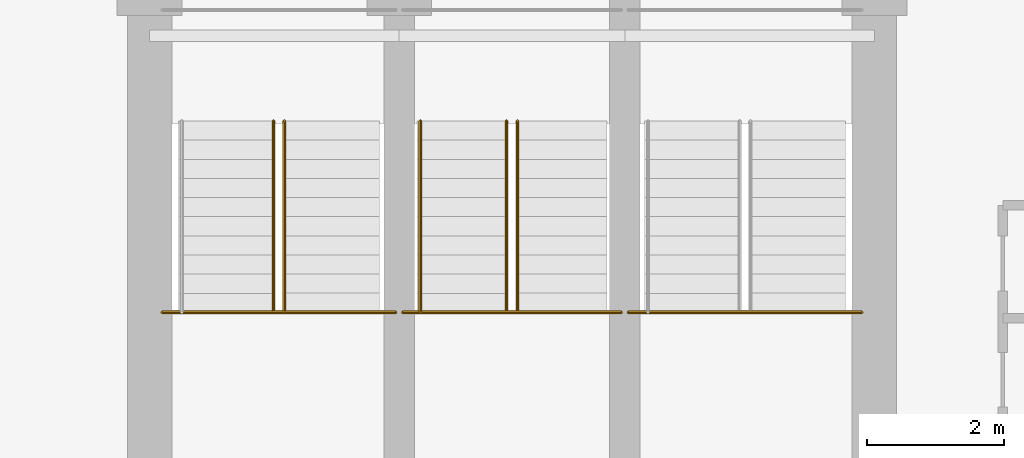
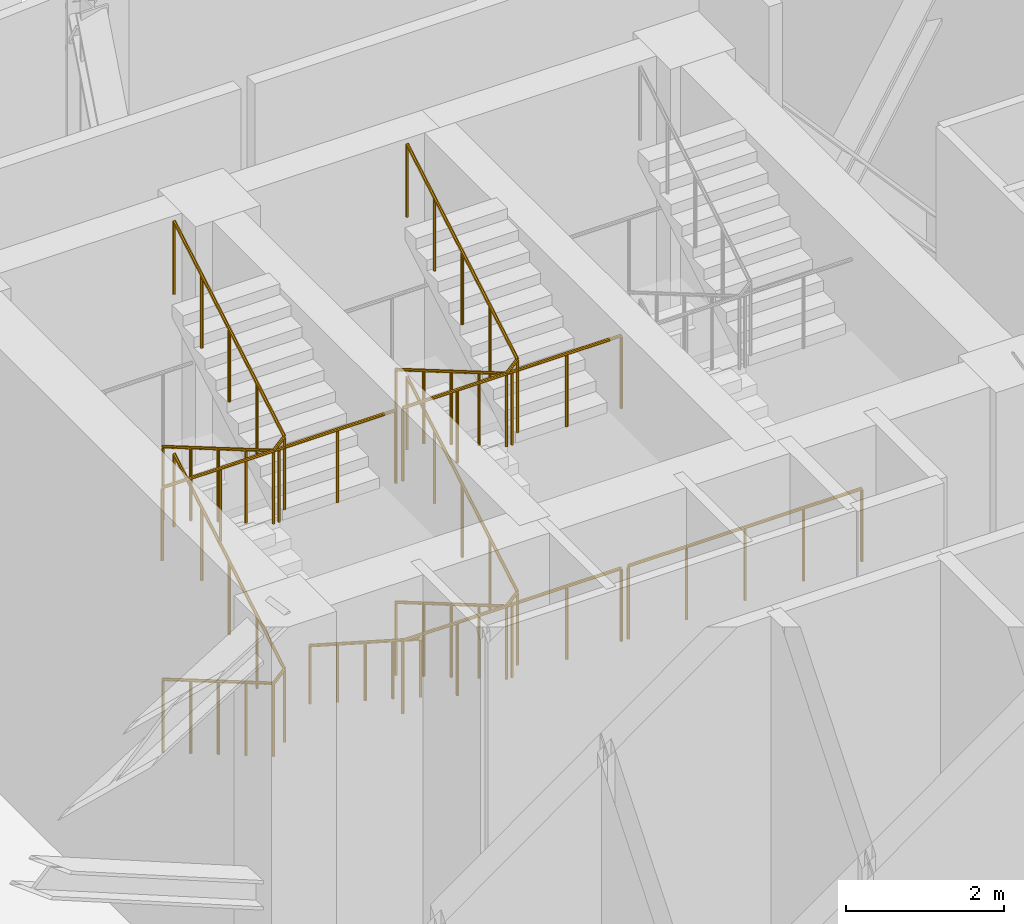
# One storey, part 15 of 18: 9 railings.
"""IFC4 building model written with IfcOpenShell, lengths in metres."""

from ifc_helpers import new_model, si_unit, direction, frame, origin, place, context, subcontext, project, spatial, polyline, outline, extrude, material, type_object, element, save


model = new_model("IFC4")

# Units and contexts
model_context = context("Model", 3, precision=1e-05, world=origin(), true_north=direction((0.0, 1.0)))
body_context = subcontext(model_context, "Body", "Model", "MODEL_VIEW")
ifc_project = project(units=[si_unit("LENGTHUNIT", "METRE"), si_unit("AREAUNIT", "SQUARE_METRE"), si_unit("VOLUMEUNIT", "CUBIC_METRE"), si_unit("PLANEANGLEUNIT", "RADIAN"), si_unit("MASSUNIT", "GRAM", prefix="KILO")], contexts=[model_context])

# Site, building, storey
site_placement = place(None, origin())
site = spatial("IfcSite", under=ifc_project, at=site_placement, CompositionType="ELEMENT")
building_placement = place(site_placement, origin())
building = spatial("IfcBuilding", under=site, at=building_placement, Name="Nuhasar Tower", CompositionType="ELEMENT")
storey_placement = place(building_placement, frame((0.0, 0.0, 195.949951171875)))
storey = spatial("IfcBuildingStorey", under=building, at=storey_placement, Name="L48", CompositionType="ELEMENT", Elevation=195.949951171875)

# Railings
ifc_material_1 = material(Name="Steel S355", Category="steel")
railing_type_1 = type_object("IfcRailingType", Name="RLG-STAIR-GUARD-1150", PredefinedType="GUARDRAIL", material=ifc_material_1)
railing_1_placement = place(storey_placement, frame((35.510009765625, 35.284912109375, 0.1640625)))
element("IfcRailing", 1, at=railing_1_placement, inside=storey, type_object=railing_type_1, Name="L48 Stair ST-01 Guardrail SLT1", PredefinedType="GUARDRAIL", context=body_context, shape_type="SweptSolid", body=[
    extrude(outline(polyline([(0.024169921875, 0.0), (0.01708984375, 0.01708984375), (0.0, 0.024169921875), (-0.01708984375, 0.01708984375), (-0.024169921875, 0.0), (-0.01708984375, -0.01708984375), (0.0, -0.024169921875), (0.01708984375, -0.01708984375), (0.024169921875, 0.0)])), frame((0.0, 0.0, 1.1259765625), z_axis=(0.0, -0.863407295559, 0.504507524201), x_axis=(1.0, 0.0, 0.0)), (0.0, 0.0, 1.0), 3.24267578125),
    extrude(outline(polyline([(0.024169921875, 0.0), (0.01708984375, 0.01708984375), (0.0, 0.024169921875), (-0.01708984375, 0.01708984375), (-0.024169921875, 0.0), (-0.01708984375, -0.01708984375), (0.0, -0.024169921875), (0.01708984375, -0.01708984375), (0.024169921875, 0.0)])), frame((0.0, -2.7998046875, 2.76171875), z_axis=(0.697990867133, 0.0, 0.716106660631), x_axis=(0.0, 1.0, 0.0)), (0.0, 0.0, 1.0), 0.22900390625),
    extrude(outline(polyline([(0.024169921875, 0.0), (0.01708984375, 0.01708984375), (0.0, 0.024169921875), (-0.01708984375, 0.01708984375), (-0.024169921875, 0.0), (-0.01708984375, -0.01708984375), (0.0, -0.024169921875), (0.01708984375, -0.01708984375), (0.024169921875, 0.0)])), frame((0.159912109375, -2.7998046875, 2.92578125), z_axis=(0.0, 0.863407295559, 0.504507524201), x_axis=(-1.0, 0.0, 0.0)), (0.0, 0.0, 1.0), 3.24267578125),
    extrude(outline(polyline([(0.02099609375, 0.0), (0.014892578125, 0.014892578125), (0.0, 0.02099609375), (-0.014892578125, 0.014892578125), (-0.02099609375, 0.0), (-0.014892578125, -0.014892578125), (0.0, -0.02099609375), (0.014892578125, -0.014892578125), (0.02099609375, 0.0)])), origin(), (0.0, 0.0, 1.0), 1.101806640625),
    extrude(outline(polyline([(0.02099609375, 0.0), (0.014892578125, 0.014892578125), (0.0, 0.02099609375), (-0.014892578125, 0.014892578125), (-0.02099609375, 0.0), (-0.014892578125, -0.014892578125), (0.0, -0.02099609375), (0.014892578125, -0.014892578125), (0.02099609375, 0.0)])), frame((0.0, -0.699951171875, 0.408935546875)), (0.0, 0.0, 1.0), 1.101806640625),
    extrude(outline(polyline([(0.02099609375, 0.0), (0.014892578125, 0.014892578125), (0.0, 0.02099609375), (-0.014892578125, 0.014892578125), (-0.02099609375, 0.0), (-0.014892578125, -0.014892578125), (0.0, -0.02099609375), (0.014892578125, -0.014892578125), (0.02099609375, 0.0)])), frame((0.0, -1.39990234375, 0.81787109375)), (0.0, 0.0, 1.0), 1.101806640625),
    extrude(outline(polyline([(0.02099609375, 0.0), (0.014892578125, 0.014892578125), (0.0, 0.02099609375), (-0.014892578125, 0.014892578125), (-0.02099609375, 0.0), (-0.014892578125, -0.014892578125), (0.0, -0.02099609375), (0.014892578125, -0.014892578125), (0.02099609375, 0.0)])), frame((0.0, -2.099853515625, 1.22705078125)), (0.0, 0.0, 1.0), 1.101806640625),
    extrude(outline(polyline([(0.02099609375, 0.0), (0.014892578125, 0.014892578125), (0.0, 0.02099609375), (-0.014892578125, 0.014892578125), (-0.02099609375, 0.0), (-0.014892578125, -0.014892578125), (0.0, -0.02099609375), (0.014892578125, -0.014892578125), (0.02099609375, 0.0)])), frame((0.0, -2.7998046875, 1.635986328125)), (0.0, 0.0, 1.0), 1.101806640625),
    extrude(outline(polyline([(0.02099609375, 0.0), (0.014892578125, 0.014892578125), (0.0, 0.02099609375), (-0.014892578125, 0.014892578125), (-0.02099609375, 0.0), (-0.014892578125, -0.014892578125), (0.0, -0.02099609375), (0.014892578125, -0.014892578125), (0.02099609375, 0.0)])), frame((0.159912109375, -2.7998046875, 1.800048828125)), (0.0, 0.0, 1.0), 1.101806640625),
    extrude(outline(polyline([(0.02099609375, 0.0), (0.014892578125, 0.014892578125), (0.0, 0.02099609375), (-0.014892578125, 0.014892578125), (-0.02099609375, 0.0), (-0.014892578125, -0.014892578125), (0.0, -0.02099609375), (0.014892578125, -0.014892578125), (0.02099609375, 0.0)])), frame((0.159912109375, -2.099853515625, 2.208984375)), (0.0, 0.0, 1.0), 1.101806640625),
    extrude(outline(polyline([(0.02099609375, 0.0), (0.014892578125, 0.014892578125), (0.0, 0.02099609375), (-0.014892578125, 0.014892578125), (-0.02099609375, 0.0), (-0.014892578125, -0.014892578125), (0.0, -0.02099609375), (0.014892578125, -0.014892578125), (0.02099609375, 0.0)])), frame((0.159912109375, -1.39990234375, 2.6181640625)), (0.0, 0.0, 1.0), 1.101806640625),
    extrude(outline(polyline([(0.02099609375, 0.0), (0.014892578125, 0.014892578125), (0.0, 0.02099609375), (-0.014892578125, 0.014892578125), (-0.02099609375, 0.0), (-0.014892578125, -0.014892578125), (0.0, -0.02099609375), (0.014892578125, -0.014892578125), (0.02099609375, 0.0)])), frame((0.159912109375, -0.699951171875, 3.027099609375)), (0.0, 0.0, 1.0), 1.101806640625),
    extrude(outline(polyline([(0.02099609375, 0.0), (0.014892578125, 0.014892578125), (0.0, 0.02099609375), (-0.014892578125, 0.014892578125), (-0.02099609375, 0.0), (-0.014892578125, -0.014892578125), (0.0, -0.02099609375), (0.014892578125, -0.014892578125), (0.02099609375, 0.0)])), frame((0.159912109375, 0.0, 3.43603515625)), (0.0, 0.0, 1.0), 1.101806640625),
])
railing_2_placement = place(storey_placement, frame((33.8798828125, 32.485107421875, 5.400146484375)))
element("IfcRailing", 2, at=railing_2_placement, inside=storey, type_object=railing_type_1, Name="L48 Stair ST-01 Guardrail LNDS2", PredefinedType="GUARDRAIL", context=body_context, shape_type="SweptSolid", body=[
    extrude(outline(polyline([(0.024169921875, 0.0), (0.01708984375, 0.01708984375), (0.0, 0.024169921875), (-0.01708984375, 0.01708984375), (-0.024169921875, 0.0), (-0.01708984375, -0.01708984375), (0.0, -0.024169921875), (0.01708984375, -0.01708984375), (0.024169921875, 0.0)])), frame((0.0, 0.0, 1.1259765625), z_axis=(1.0, 0.0, 0.0), x_axis=(0.0, 1.0, 0.0)), (0.0, 0.0, 1.0), 3.420166015625),
    extrude(outline(polyline([(0.02099609375, 0.0), (0.014892578125, 0.014892578125), (0.0, 0.02099609375), (-0.014892578125, 0.014892578125), (-0.02099609375, 0.0), (-0.014892578125, -0.014892578125), (0.0, -0.02099609375), (0.014892578125, -0.014892578125), (0.02099609375, 0.0)])), origin(), (0.0, 0.0, 1.0), 1.101806640625),
    extrude(outline(polyline([(0.02099609375, 0.0), (0.014892578125, 0.014892578125), (0.0, 0.02099609375), (-0.014892578125, 0.014892578125), (-0.02099609375, 0.0), (-0.014892578125, -0.014892578125), (0.0, -0.02099609375), (0.014892578125, -0.014892578125), (0.02099609375, 0.0)])), frame((0.85498046875, 0.0, 0.0)), (0.0, 0.0, 1.0), 1.101806640625),
    extrude(outline(polyline([(0.02099609375, 0.0), (0.014892578125, 0.014892578125), (0.0, 0.02099609375), (-0.014892578125, 0.014892578125), (-0.02099609375, 0.0), (-0.014892578125, -0.014892578125), (0.0, -0.02099609375), (0.014892578125, -0.014892578125), (0.02099609375, 0.0)])), frame((1.7099609375, 0.0, 0.0)), (0.0, 0.0, 1.0), 1.101806640625),
    extrude(outline(polyline([(0.02099609375, 0.0), (0.014892578125, 0.014892578125), (0.0, 0.02099609375), (-0.014892578125, 0.014892578125), (-0.02099609375, 0.0), (-0.014892578125, -0.014892578125), (0.0, -0.02099609375), (0.014892578125, -0.014892578125), (0.02099609375, 0.0)])), frame((2.565185546875, 0.0, 0.0)), (0.0, 0.0, 1.0), 1.101806640625),
    extrude(outline(polyline([(0.02099609375, 0.0), (0.014892578125, 0.014892578125), (0.0, 0.02099609375), (-0.014892578125, 0.014892578125), (-0.02099609375, 0.0), (-0.014892578125, -0.014892578125), (0.0, -0.02099609375), (0.014892578125, -0.014892578125), (0.02099609375, 0.0)])), frame((3.420166015625, 0.0, 0.0)), (0.0, 0.0, 1.0), 1.101806640625),
])
railing_3_placement = place(storey_placement, frame((35.510009765625, 35.284912109375, 3.76416015625)))
element("IfcRailing", 3, at=railing_3_placement, inside=storey, type_object=railing_type_1, Name="L48 Stair ST-01 Guardrail SLT2", PredefinedType="GUARDRAIL", context=body_context, shape_type="SweptSolid", body=[
    extrude(outline(polyline([(0.024169921875, 0.0), (0.01708984375, 0.01708984375), (0.0, 0.024169921875), (-0.01708984375, 0.01708984375), (-0.024169921875, 0.0), (-0.01708984375, -0.01708984375), (0.0, -0.024169921875), (0.01708984375, -0.01708984375), (0.024169921875, 0.0)])), frame((0.0, 0.0, 1.1259765625), z_axis=(0.0, -0.863407295559, 0.504507524201), x_axis=(1.0, 0.0, 0.0)), (0.0, 0.0, 1.0), 3.24267578125),
    extrude(outline(polyline([(0.024169921875, 0.0), (0.01708984375, 0.01708984375), (0.0, 0.024169921875), (-0.01708984375, 0.01708984375), (-0.024169921875, 0.0), (-0.01708984375, -0.01708984375), (0.0, -0.024169921875), (0.01708984375, -0.01708984375), (0.024169921875, 0.0)])), frame((0.0, -2.7998046875, 2.76171875), z_axis=(0.69852372298, 0.0, 0.715586897892), x_axis=(0.0, 1.0, 0.0)), (0.0, 0.0, 1.0), 0.22900390625),
    extrude(outline(polyline([(0.024169921875, 0.0), (0.01708984375, 0.01708984375), (0.0, 0.024169921875), (-0.01708984375, 0.01708984375), (-0.024169921875, 0.0), (-0.01708984375, -0.01708984375), (0.0, -0.024169921875), (0.01708984375, -0.01708984375), (0.024169921875, 0.0)])), frame((0.159912109375, -2.7998046875, 2.92578125), z_axis=(0.0, 0.863407295559, 0.504507524201), x_axis=(-1.0, 0.0, 0.0)), (0.0, 0.0, 1.0), 3.24267578125),
    extrude(outline(polyline([(0.02099609375, 0.0), (0.014892578125, 0.014892578125), (0.0, 0.02099609375), (-0.014892578125, 0.014892578125), (-0.02099609375, 0.0), (-0.014892578125, -0.014892578125), (0.0, -0.02099609375), (0.014892578125, -0.014892578125), (0.02099609375, 0.0)])), origin(), (0.0, 0.0, 1.0), 1.101806640625),
    extrude(outline(polyline([(0.02099609375, 0.0), (0.014892578125, 0.014892578125), (0.0, 0.02099609375), (-0.014892578125, 0.014892578125), (-0.02099609375, 0.0), (-0.014892578125, -0.014892578125), (0.0, -0.02099609375), (0.014892578125, -0.014892578125), (0.02099609375, 0.0)])), frame((0.0, -0.699951171875, 0.408935546875)), (0.0, 0.0, 1.0), 1.101806640625),
    extrude(outline(polyline([(0.02099609375, 0.0), (0.014892578125, 0.014892578125), (0.0, 0.02099609375), (-0.014892578125, 0.014892578125), (-0.02099609375, 0.0), (-0.014892578125, -0.014892578125), (0.0, -0.02099609375), (0.014892578125, -0.014892578125), (0.02099609375, 0.0)])), frame((0.0, -1.39990234375, 0.81787109375)), (0.0, 0.0, 1.0), 1.101806640625),
    extrude(outline(polyline([(0.02099609375, 0.0), (0.014892578125, 0.014892578125), (0.0, 0.02099609375), (-0.014892578125, 0.014892578125), (-0.02099609375, 0.0), (-0.014892578125, -0.014892578125), (0.0, -0.02099609375), (0.014892578125, -0.014892578125), (0.02099609375, 0.0)])), frame((0.0, -2.099853515625, 1.22705078125)), (0.0, 0.0, 1.0), 1.101806640625),
    extrude(outline(polyline([(0.02099609375, 0.0), (0.014892578125, 0.014892578125), (0.0, 0.02099609375), (-0.014892578125, 0.014892578125), (-0.02099609375, 0.0), (-0.014892578125, -0.014892578125), (0.0, -0.02099609375), (0.014892578125, -0.014892578125), (0.02099609375, 0.0)])), frame((0.0, -2.7998046875, 1.635986328125)), (0.0, 0.0, 1.0), 1.101806640625),
    extrude(outline(polyline([(0.02099609375, 0.0), (0.014892578125, 0.014892578125), (0.0, 0.02099609375), (-0.014892578125, 0.014892578125), (-0.02099609375, 0.0), (-0.014892578125, -0.014892578125), (0.0, -0.02099609375), (0.014892578125, -0.014892578125), (0.02099609375, 0.0)])), frame((0.159912109375, -2.7998046875, 1.7998046875)), (0.0, 0.0, 1.0), 1.101806640625),
    extrude(outline(polyline([(0.02099609375, 0.0), (0.014892578125, 0.014892578125), (0.0, 0.02099609375), (-0.014892578125, 0.014892578125), (-0.02099609375, 0.0), (-0.014892578125, -0.014892578125), (0.0, -0.02099609375), (0.014892578125, -0.014892578125), (0.02099609375, 0.0)])), frame((0.159912109375, -2.099853515625, 2.208740234375)), (0.0, 0.0, 1.0), 1.101806640625),
    extrude(outline(polyline([(0.02099609375, 0.0), (0.014892578125, 0.014892578125), (0.0, 0.02099609375), (-0.014892578125, 0.014892578125), (-0.02099609375, 0.0), (-0.014892578125, -0.014892578125), (0.0, -0.02099609375), (0.014892578125, -0.014892578125), (0.02099609375, 0.0)])), frame((0.159912109375, -1.39990234375, 2.61767578125)), (0.0, 0.0, 1.0), 1.101806640625),
    extrude(outline(polyline([(0.02099609375, 0.0), (0.014892578125, 0.014892578125), (0.0, 0.02099609375), (-0.014892578125, 0.014892578125), (-0.02099609375, 0.0), (-0.014892578125, -0.014892578125), (0.0, -0.02099609375), (0.014892578125, -0.014892578125), (0.02099609375, 0.0)])), frame((0.159912109375, -0.699951171875, 3.02685546875)), (0.0, 0.0, 1.0), 1.101806640625),
    extrude(outline(polyline([(0.02099609375, 0.0), (0.014892578125, 0.014892578125), (0.0, 0.02099609375), (-0.014892578125, 0.014892578125), (-0.02099609375, 0.0), (-0.014892578125, -0.014892578125), (0.0, -0.02099609375), (0.014892578125, -0.014892578125), (0.02099609375, 0.0)])), frame((0.159912109375, 0.0, 3.435791015625)), (0.0, 0.0, 1.0), 1.101806640625),
])
railing_4_placement = place(storey_placement, frame((37.39990234375, 32.485107421875, 1.800048828125)))
element("IfcRailing", 4, at=railing_4_placement, inside=storey, type_object=railing_type_1, Name="L48 Stair ST-03 Guardrail LNDS1", PredefinedType="GUARDRAIL", context=body_context, shape_type="SweptSolid", body=[
    extrude(outline(polyline([(0.024169921875, 0.0), (0.01708984375, 0.01708984375), (0.0, 0.024169921875), (-0.01708984375, 0.01708984375), (-0.024169921875, 0.0), (-0.01708984375, -0.01708984375), (0.0, -0.024169921875), (0.01708984375, -0.01708984375), (0.024169921875, 0.0)])), frame((0.0, 0.0, 1.1259765625), z_axis=(1.0, 0.0, 0.0), x_axis=(0.0, 1.0, 0.0)), (0.0, 0.0, 1.0), 3.2001953125),
    extrude(outline(polyline([(0.02099609375, 0.0), (0.014892578125, 0.014892578125), (0.0, 0.02099609375), (-0.014892578125, 0.014892578125), (-0.02099609375, 0.0), (-0.014892578125, -0.014892578125), (0.0, -0.02099609375), (0.014892578125, -0.014892578125), (0.02099609375, 0.0)])), origin(), (0.0, 0.0, 1.0), 1.101806640625),
    extrude(outline(polyline([(0.02099609375, 0.0), (0.014892578125, 0.014892578125), (0.0, 0.02099609375), (-0.014892578125, 0.014892578125), (-0.02099609375, 0.0), (-0.014892578125, -0.014892578125), (0.0, -0.02099609375), (0.014892578125, -0.014892578125), (0.02099609375, 0.0)])), frame((0.800048828125, 0.0, 0.0)), (0.0, 0.0, 1.0), 1.101806640625),
    extrude(outline(polyline([(0.02099609375, 0.0), (0.014892578125, 0.014892578125), (0.0, 0.02099609375), (-0.014892578125, 0.014892578125), (-0.02099609375, 0.0), (-0.014892578125, -0.014892578125), (0.0, -0.02099609375), (0.014892578125, -0.014892578125), (0.02099609375, 0.0)])), frame((1.60009765625, 0.0, 0.0)), (0.0, 0.0, 1.0), 1.101806640625),
    extrude(outline(polyline([(0.02099609375, 0.0), (0.014892578125, 0.014892578125), (0.0, 0.02099609375), (-0.014892578125, 0.014892578125), (-0.02099609375, 0.0), (-0.014892578125, -0.014892578125), (0.0, -0.02099609375), (0.014892578125, -0.014892578125), (0.02099609375, 0.0)])), frame((2.400146484375, 0.0, 0.0)), (0.0, 0.0, 1.0), 1.101806640625),
    extrude(outline(polyline([(0.02099609375, 0.0), (0.014892578125, 0.014892578125), (0.0, 0.02099609375), (-0.014892578125, 0.014892578125), (-0.02099609375, 0.0), (-0.014892578125, -0.014892578125), (0.0, -0.02099609375), (0.014892578125, -0.014892578125), (0.02099609375, 0.0)])), frame((3.2001953125, 0.0, 0.0)), (0.0, 0.0, 1.0), 1.101806640625),
])
railing_5_placement = place(storey_placement, frame((38.919921875, 35.284912109375, 0.1640625)))
element("IfcRailing", 5, at=railing_5_placement, inside=storey, type_object=railing_type_1, Name="L48 Stair ST-03 Guardrail SLT1", PredefinedType="GUARDRAIL", context=body_context, shape_type="SweptSolid", body=[
    extrude(outline(polyline([(0.024169921875, 0.0), (0.01708984375, 0.01708984375), (0.0, 0.024169921875), (-0.01708984375, 0.01708984375), (-0.024169921875, 0.0), (-0.01708984375, -0.01708984375), (0.0, -0.024169921875), (0.01708984375, -0.01708984375), (0.024169921875, 0.0)])), frame((0.0, 0.0, 1.1259765625), z_axis=(0.0, -0.863407295559, 0.504507524201), x_axis=(1.0, 0.0, 0.0)), (0.0, 0.0, 1.0), 3.24267578125),
    extrude(outline(polyline([(0.024169921875, 0.0), (0.01708984375, 0.01708984375), (0.0, 0.024169921875), (-0.01708984375, 0.01708984375), (-0.024169921875, 0.0), (-0.01708984375, -0.01708984375), (0.0, -0.024169921875), (0.01708984375, -0.01708984375), (0.024169921875, 0.0)])), frame((0.0, -2.7998046875, 2.76171875), z_axis=(0.698536724788, 0.0, 0.715574205881), x_axis=(0.0, 1.0, 0.0)), (0.0, 0.0, 1.0), 0.229248046875),
    extrude(outline(polyline([(0.024169921875, 0.0), (0.01708984375, 0.01708984375), (0.0, 0.024169921875), (-0.01708984375, 0.01708984375), (-0.024169921875, 0.0), (-0.01708984375, -0.01708984375), (0.0, -0.024169921875), (0.01708984375, -0.01708984375), (0.024169921875, 0.0)])), frame((0.16015625, -2.7998046875, 2.92578125), z_axis=(0.0, 0.863407295559, 0.504507524201), x_axis=(-1.0, 0.0, 0.0)), (0.0, 0.0, 1.0), 3.24267578125),
    extrude(outline(polyline([(0.02099609375, 0.0), (0.014892578125, 0.014892578125), (0.0, 0.02099609375), (-0.014892578125, 0.014892578125), (-0.02099609375, 0.0), (-0.014892578125, -0.014892578125), (0.0, -0.02099609375), (0.014892578125, -0.014892578125), (0.02099609375, 0.0)])), origin(), (0.0, 0.0, 1.0), 1.101806640625),
    extrude(outline(polyline([(0.02099609375, 0.0), (0.014892578125, 0.014892578125), (0.0, 0.02099609375), (-0.014892578125, 0.014892578125), (-0.02099609375, 0.0), (-0.014892578125, -0.014892578125), (0.0, -0.02099609375), (0.014892578125, -0.014892578125), (0.02099609375, 0.0)])), frame((0.0, -0.699951171875, 0.408935546875)), (0.0, 0.0, 1.0), 1.101806640625),
    extrude(outline(polyline([(0.02099609375, 0.0), (0.014892578125, 0.014892578125), (0.0, 0.02099609375), (-0.014892578125, 0.014892578125), (-0.02099609375, 0.0), (-0.014892578125, -0.014892578125), (0.0, -0.02099609375), (0.014892578125, -0.014892578125), (0.02099609375, 0.0)])), frame((0.0, -1.39990234375, 0.81787109375)), (0.0, 0.0, 1.0), 1.101806640625),
    extrude(outline(polyline([(0.02099609375, 0.0), (0.014892578125, 0.014892578125), (0.0, 0.02099609375), (-0.014892578125, 0.014892578125), (-0.02099609375, 0.0), (-0.014892578125, -0.014892578125), (0.0, -0.02099609375), (0.014892578125, -0.014892578125), (0.02099609375, 0.0)])), frame((0.0, -2.099853515625, 1.22705078125)), (0.0, 0.0, 1.0), 1.101806640625),
    extrude(outline(polyline([(0.02099609375, 0.0), (0.014892578125, 0.014892578125), (0.0, 0.02099609375), (-0.014892578125, 0.014892578125), (-0.02099609375, 0.0), (-0.014892578125, -0.014892578125), (0.0, -0.02099609375), (0.014892578125, -0.014892578125), (0.02099609375, 0.0)])), frame((0.0, -2.7998046875, 1.635986328125)), (0.0, 0.0, 1.0), 1.101806640625),
    extrude(outline(polyline([(0.02099609375, 0.0), (0.014892578125, 0.014892578125), (0.0, 0.02099609375), (-0.014892578125, 0.014892578125), (-0.02099609375, 0.0), (-0.014892578125, -0.014892578125), (0.0, -0.02099609375), (0.014892578125, -0.014892578125), (0.02099609375, 0.0)])), frame((0.16015625, -2.7998046875, 1.800048828125)), (0.0, 0.0, 1.0), 1.101806640625),
    extrude(outline(polyline([(0.02099609375, 0.0), (0.014892578125, 0.014892578125), (0.0, 0.02099609375), (-0.014892578125, 0.014892578125), (-0.02099609375, 0.0), (-0.014892578125, -0.014892578125), (0.0, -0.02099609375), (0.014892578125, -0.014892578125), (0.02099609375, 0.0)])), frame((0.16015625, -2.099853515625, 2.208984375)), (0.0, 0.0, 1.0), 1.101806640625),
    extrude(outline(polyline([(0.02099609375, 0.0), (0.014892578125, 0.014892578125), (0.0, 0.02099609375), (-0.014892578125, 0.014892578125), (-0.02099609375, 0.0), (-0.014892578125, -0.014892578125), (0.0, -0.02099609375), (0.014892578125, -0.014892578125), (0.02099609375, 0.0)])), frame((0.16015625, -1.39990234375, 2.6181640625)), (0.0, 0.0, 1.0), 1.101806640625),
    extrude(outline(polyline([(0.02099609375, 0.0), (0.014892578125, 0.014892578125), (0.0, 0.02099609375), (-0.014892578125, 0.014892578125), (-0.02099609375, 0.0), (-0.014892578125, -0.014892578125), (0.0, -0.02099609375), (0.014892578125, -0.014892578125), (0.02099609375, 0.0)])), frame((0.16015625, -0.699951171875, 3.027099609375)), (0.0, 0.0, 1.0), 1.101806640625),
    extrude(outline(polyline([(0.02099609375, 0.0), (0.014892578125, 0.014892578125), (0.0, 0.02099609375), (-0.014892578125, 0.014892578125), (-0.02099609375, 0.0), (-0.014892578125, -0.014892578125), (0.0, -0.02099609375), (0.014892578125, -0.014892578125), (0.02099609375, 0.0)])), frame((0.16015625, 0.0, 3.43603515625)), (0.0, 0.0, 1.0), 1.101806640625),
])
railing_6_placement = place(storey_placement, frame((37.39990234375, 32.485107421875, 5.400146484375)))
element("IfcRailing", 6, at=railing_6_placement, inside=storey, type_object=railing_type_1, Name="L48 Stair ST-03 Guardrail LNDS2", PredefinedType="GUARDRAIL", context=body_context, shape_type="SweptSolid", body=[
    extrude(outline(polyline([(0.024169921875, 0.0), (0.01708984375, 0.01708984375), (0.0, 0.024169921875), (-0.01708984375, 0.01708984375), (-0.024169921875, 0.0), (-0.01708984375, -0.01708984375), (0.0, -0.024169921875), (0.01708984375, -0.01708984375), (0.024169921875, 0.0)])), frame((0.0, 0.0, 1.1259765625), z_axis=(1.0, 0.0, 0.0), x_axis=(0.0, 1.0, 0.0)), (0.0, 0.0, 1.0), 3.2001953125),
    extrude(outline(polyline([(0.02099609375, 0.0), (0.014892578125, 0.014892578125), (0.0, 0.02099609375), (-0.014892578125, 0.014892578125), (-0.02099609375, 0.0), (-0.014892578125, -0.014892578125), (0.0, -0.02099609375), (0.014892578125, -0.014892578125), (0.02099609375, 0.0)])), origin(), (0.0, 0.0, 1.0), 1.101806640625),
    extrude(outline(polyline([(0.02099609375, 0.0), (0.014892578125, 0.014892578125), (0.0, 0.02099609375), (-0.014892578125, 0.014892578125), (-0.02099609375, 0.0), (-0.014892578125, -0.014892578125), (0.0, -0.02099609375), (0.014892578125, -0.014892578125), (0.02099609375, 0.0)])), frame((0.800048828125, 0.0, 0.0)), (0.0, 0.0, 1.0), 1.101806640625),
    extrude(outline(polyline([(0.02099609375, 0.0), (0.014892578125, 0.014892578125), (0.0, 0.02099609375), (-0.014892578125, 0.014892578125), (-0.02099609375, 0.0), (-0.014892578125, -0.014892578125), (0.0, -0.02099609375), (0.014892578125, -0.014892578125), (0.02099609375, 0.0)])), frame((1.60009765625, 0.0, 0.0)), (0.0, 0.0, 1.0), 1.101806640625),
    extrude(outline(polyline([(0.02099609375, 0.0), (0.014892578125, 0.014892578125), (0.0, 0.02099609375), (-0.014892578125, 0.014892578125), (-0.02099609375, 0.0), (-0.014892578125, -0.014892578125), (0.0, -0.02099609375), (0.014892578125, -0.014892578125), (0.02099609375, 0.0)])), frame((2.400146484375, 0.0, 0.0)), (0.0, 0.0, 1.0), 1.101806640625),
    extrude(outline(polyline([(0.02099609375, 0.0), (0.014892578125, 0.014892578125), (0.0, 0.02099609375), (-0.014892578125, 0.014892578125), (-0.02099609375, 0.0), (-0.014892578125, -0.014892578125), (0.0, -0.02099609375), (0.014892578125, -0.014892578125), (0.02099609375, 0.0)])), frame((3.2001953125, 0.0, 0.0)), (0.0, 0.0, 1.0), 1.101806640625),
])
railing_7_placement = place(storey_placement, frame((38.919921875, 35.284912109375, 3.76416015625)))
element("IfcRailing", 7, at=railing_7_placement, inside=storey, type_object=railing_type_1, Name="L48 Stair ST-03 Guardrail SLT2", PredefinedType="GUARDRAIL", context=body_context, shape_type="SweptSolid", body=[
    extrude(outline(polyline([(0.024169921875, 0.0), (0.01708984375, 0.01708984375), (0.0, 0.024169921875), (-0.01708984375, 0.01708984375), (-0.024169921875, 0.0), (-0.01708984375, -0.01708984375), (0.0, -0.024169921875), (0.01708984375, -0.01708984375), (0.024169921875, 0.0)])), frame((0.0, 0.0, 1.1259765625), z_axis=(0.0, -0.863407295559, 0.504507524201), x_axis=(1.0, 0.0, 0.0)), (0.0, 0.0, 1.0), 3.24267578125),
    extrude(outline(polyline([(0.024169921875, 0.0), (0.01708984375, 0.01708984375), (0.0, 0.024169921875), (-0.01708984375, 0.01708984375), (-0.024169921875, 0.0), (-0.01708984375, -0.01708984375), (0.0, -0.024169921875), (0.01708984375, -0.01708984375), (0.024169921875, 0.0)])), frame((0.0, -2.7998046875, 2.76171875), z_axis=(0.699069203719, 0.0, 0.715054017828), x_axis=(0.0, 1.0, 0.0)), (0.0, 0.0, 1.0), 0.22900390625),
    extrude(outline(polyline([(0.024169921875, 0.0), (0.01708984375, 0.01708984375), (0.0, 0.024169921875), (-0.01708984375, 0.01708984375), (-0.024169921875, 0.0), (-0.01708984375, -0.01708984375), (0.0, -0.024169921875), (0.01708984375, -0.01708984375), (0.024169921875, 0.0)])), frame((0.16015625, -2.7998046875, 2.92578125), z_axis=(0.0, 0.863407295559, 0.504507524201), x_axis=(-1.0, 0.0, 0.0)), (0.0, 0.0, 1.0), 3.24267578125),
    extrude(outline(polyline([(0.02099609375, 0.0), (0.014892578125, 0.014892578125), (0.0, 0.02099609375), (-0.014892578125, 0.014892578125), (-0.02099609375, 0.0), (-0.014892578125, -0.014892578125), (0.0, -0.02099609375), (0.014892578125, -0.014892578125), (0.02099609375, 0.0)])), origin(), (0.0, 0.0, 1.0), 1.101806640625),
    extrude(outline(polyline([(0.02099609375, 0.0), (0.014892578125, 0.014892578125), (0.0, 0.02099609375), (-0.014892578125, 0.014892578125), (-0.02099609375, 0.0), (-0.014892578125, -0.014892578125), (0.0, -0.02099609375), (0.014892578125, -0.014892578125), (0.02099609375, 0.0)])), frame((0.0, -0.699951171875, 0.408935546875)), (0.0, 0.0, 1.0), 1.101806640625),
    extrude(outline(polyline([(0.02099609375, 0.0), (0.014892578125, 0.014892578125), (0.0, 0.02099609375), (-0.014892578125, 0.014892578125), (-0.02099609375, 0.0), (-0.014892578125, -0.014892578125), (0.0, -0.02099609375), (0.014892578125, -0.014892578125), (0.02099609375, 0.0)])), frame((0.0, -1.39990234375, 0.81787109375)), (0.0, 0.0, 1.0), 1.101806640625),
    extrude(outline(polyline([(0.02099609375, 0.0), (0.014892578125, 0.014892578125), (0.0, 0.02099609375), (-0.014892578125, 0.014892578125), (-0.02099609375, 0.0), (-0.014892578125, -0.014892578125), (0.0, -0.02099609375), (0.014892578125, -0.014892578125), (0.02099609375, 0.0)])), frame((0.0, -2.099853515625, 1.22705078125)), (0.0, 0.0, 1.0), 1.101806640625),
    extrude(outline(polyline([(0.02099609375, 0.0), (0.014892578125, 0.014892578125), (0.0, 0.02099609375), (-0.014892578125, 0.014892578125), (-0.02099609375, 0.0), (-0.014892578125, -0.014892578125), (0.0, -0.02099609375), (0.014892578125, -0.014892578125), (0.02099609375, 0.0)])), frame((0.0, -2.7998046875, 1.635986328125)), (0.0, 0.0, 1.0), 1.101806640625),
    extrude(outline(polyline([(0.02099609375, 0.0), (0.014892578125, 0.014892578125), (0.0, 0.02099609375), (-0.014892578125, 0.014892578125), (-0.02099609375, 0.0), (-0.014892578125, -0.014892578125), (0.0, -0.02099609375), (0.014892578125, -0.014892578125), (0.02099609375, 0.0)])), frame((0.16015625, -2.7998046875, 1.7998046875)), (0.0, 0.0, 1.0), 1.101806640625),
    extrude(outline(polyline([(0.02099609375, 0.0), (0.014892578125, 0.014892578125), (0.0, 0.02099609375), (-0.014892578125, 0.014892578125), (-0.02099609375, 0.0), (-0.014892578125, -0.014892578125), (0.0, -0.02099609375), (0.014892578125, -0.014892578125), (0.02099609375, 0.0)])), frame((0.16015625, -2.099853515625, 2.208740234375)), (0.0, 0.0, 1.0), 1.101806640625),
    extrude(outline(polyline([(0.02099609375, 0.0), (0.014892578125, 0.014892578125), (0.0, 0.02099609375), (-0.014892578125, 0.014892578125), (-0.02099609375, 0.0), (-0.014892578125, -0.014892578125), (0.0, -0.02099609375), (0.014892578125, -0.014892578125), (0.02099609375, 0.0)])), frame((0.16015625, -1.39990234375, 2.61767578125)), (0.0, 0.0, 1.0), 1.101806640625),
    extrude(outline(polyline([(0.02099609375, 0.0), (0.014892578125, 0.014892578125), (0.0, 0.02099609375), (-0.014892578125, 0.014892578125), (-0.02099609375, 0.0), (-0.014892578125, -0.014892578125), (0.0, -0.02099609375), (0.014892578125, -0.014892578125), (0.02099609375, 0.0)])), frame((0.16015625, -0.699951171875, 3.02685546875)), (0.0, 0.0, 1.0), 1.101806640625),
    extrude(outline(polyline([(0.02099609375, 0.0), (0.014892578125, 0.014892578125), (0.0, 0.02099609375), (-0.014892578125, 0.014892578125), (-0.02099609375, 0.0), (-0.014892578125, -0.014892578125), (0.0, -0.02099609375), (0.014892578125, -0.014892578125), (0.02099609375, 0.0)])), frame((0.16015625, 0.0, 3.435791015625)), (0.0, 0.0, 1.0), 1.101806640625),
])
railing_8_placement = place(storey_placement, frame((40.699951171875, 32.485107421875, 1.800048828125)))
element("IfcRailing", 8, at=railing_8_placement, inside=storey, type_object=railing_type_1, Name="L48 Stair ST-02 Guardrail LNDS1", PredefinedType="GUARDRAIL", context=body_context, shape_type="SweptSolid", body=[
    extrude(outline(polyline([(0.024169921875, 0.0), (0.01708984375, 0.01708984375), (0.0, 0.024169921875), (-0.01708984375, 0.01708984375), (-0.024169921875, 0.0), (-0.01708984375, -0.01708984375), (0.0, -0.024169921875), (0.01708984375, -0.01708984375), (0.024169921875, 0.0)])), frame((0.0, 0.0, 1.1259765625), z_axis=(1.0, 0.0, 0.0), x_axis=(0.0, 1.0, 0.0)), (0.0, 0.0, 1.0), 3.420166015625),
    extrude(outline(polyline([(0.02099609375, 0.0), (0.014892578125, 0.014892578125), (0.0, 0.02099609375), (-0.014892578125, 0.014892578125), (-0.02099609375, 0.0), (-0.014892578125, -0.014892578125), (0.0, -0.02099609375), (0.014892578125, -0.014892578125), (0.02099609375, 0.0)])), origin(), (0.0, 0.0, 1.0), 1.101806640625),
    extrude(outline(polyline([(0.02099609375, 0.0), (0.014892578125, 0.014892578125), (0.0, 0.02099609375), (-0.014892578125, 0.014892578125), (-0.02099609375, 0.0), (-0.014892578125, -0.014892578125), (0.0, -0.02099609375), (0.014892578125, -0.014892578125), (0.02099609375, 0.0)])), frame((0.85498046875, 0.0, 0.0)), (0.0, 0.0, 1.0), 1.101806640625),
    extrude(outline(polyline([(0.02099609375, 0.0), (0.014892578125, 0.014892578125), (0.0, 0.02099609375), (-0.014892578125, 0.014892578125), (-0.02099609375, 0.0), (-0.014892578125, -0.014892578125), (0.0, -0.02099609375), (0.014892578125, -0.014892578125), (0.02099609375, 0.0)])), frame((1.7099609375, 0.0, 0.0)), (0.0, 0.0, 1.0), 1.101806640625),
    extrude(outline(polyline([(0.02099609375, 0.0), (0.014892578125, 0.014892578125), (0.0, 0.02099609375), (-0.014892578125, 0.014892578125), (-0.02099609375, 0.0), (-0.014892578125, -0.014892578125), (0.0, -0.02099609375), (0.014892578125, -0.014892578125), (0.02099609375, 0.0)])), frame((2.565185546875, 0.0, 0.0)), (0.0, 0.0, 1.0), 1.101806640625),
    extrude(outline(polyline([(0.02099609375, 0.0), (0.014892578125, 0.014892578125), (0.0, 0.02099609375), (-0.014892578125, 0.014892578125), (-0.02099609375, 0.0), (-0.014892578125, -0.014892578125), (0.0, -0.02099609375), (0.014892578125, -0.014892578125), (0.02099609375, 0.0)])), frame((3.420166015625, 0.0, 0.0)), (0.0, 0.0, 1.0), 1.101806640625),
])
ifc_material_2 = material(Name="Stainless Steel 316L", Category="steel")
railing_type_2 = type_object("IfcRailingType", Name="RLG-STAIR-HAND-920", PredefinedType="HANDRAIL", material=ifc_material_2)
railing_9_placement = place(storey_placement, frame((37.659912109375, 35.284912109375, 0.1640625)))
element("IfcRailing", 9, at=railing_9_placement, inside=storey, type_object=railing_type_2, Name="L48 Stair ST-03 Handrail HNDA1", PredefinedType="HANDRAIL", context=body_context, shape_type="SweptSolid", body=[
    extrude(outline(polyline([(0.024169921875, 0.0), (0.01708984375, 0.01708984375), (0.0, 0.024169921875), (-0.01708984375, 0.01708984375), (-0.024169921875, 0.0), (-0.01708984375, -0.01708984375), (0.0, -0.024169921875), (0.01708984375, -0.01708984375), (0.024169921875, 0.0)])), frame((0.0, 0.0, 0.89599609375), z_axis=(0.0, -0.841154643086, 0.54079466197), x_axis=(1.0, 0.0, 0.0)), (0.0, 0.0, 1.0), 3.32861328125),
    extrude(outline(polyline([(0.02099609375, 0.0), (0.014892578125, 0.014892578125), (0.0, 0.02099609375), (-0.014892578125, 0.014892578125), (-0.02099609375, 0.0), (-0.014892578125, -0.014892578125), (0.0, -0.02099609375), (0.014892578125, -0.014892578125), (0.02099609375, 0.0)])), origin(), (0.0, 0.0, 1.0), 0.871826171875),
    extrude(outline(polyline([(0.02099609375, 0.0), (0.014892578125, 0.014892578125), (0.0, 0.02099609375), (-0.014892578125, 0.014892578125), (-0.02099609375, 0.0), (-0.014892578125, -0.014892578125), (0.0, -0.02099609375), (0.014892578125, -0.014892578125), (0.02099609375, 0.0)])), frame((0.0, -0.699951171875, 0.449951171875)), (0.0, 0.0, 1.0), 0.871826171875),
    extrude(outline(polyline([(0.02099609375, 0.0), (0.014892578125, 0.014892578125), (0.0, 0.02099609375), (-0.014892578125, 0.014892578125), (-0.02099609375, 0.0), (-0.014892578125, -0.014892578125), (0.0, -0.02099609375), (0.014892578125, -0.014892578125), (0.02099609375, 0.0)])), frame((0.0, -1.39990234375, 0.89990234375)), (0.0, 0.0, 1.0), 0.871826171875),
    extrude(outline(polyline([(0.02099609375, 0.0), (0.014892578125, 0.014892578125), (0.0, 0.02099609375), (-0.014892578125, 0.014892578125), (-0.02099609375, 0.0), (-0.014892578125, -0.014892578125), (0.0, -0.02099609375), (0.014892578125, -0.014892578125), (0.02099609375, 0.0)])), frame((0.0, -2.099853515625, 1.35009765625)), (0.0, 0.0, 1.0), 0.871826171875),
    extrude(outline(polyline([(0.02099609375, 0.0), (0.014892578125, 0.014892578125), (0.0, 0.02099609375), (-0.014892578125, 0.014892578125), (-0.02099609375, 0.0), (-0.014892578125, -0.014892578125), (0.0, -0.02099609375), (0.014892578125, -0.014892578125), (0.02099609375, 0.0)])), frame((0.0, -2.7998046875, 1.800048828125)), (0.0, 0.0, 1.0), 0.871826171875),
])

save(model, "model.ifc")
